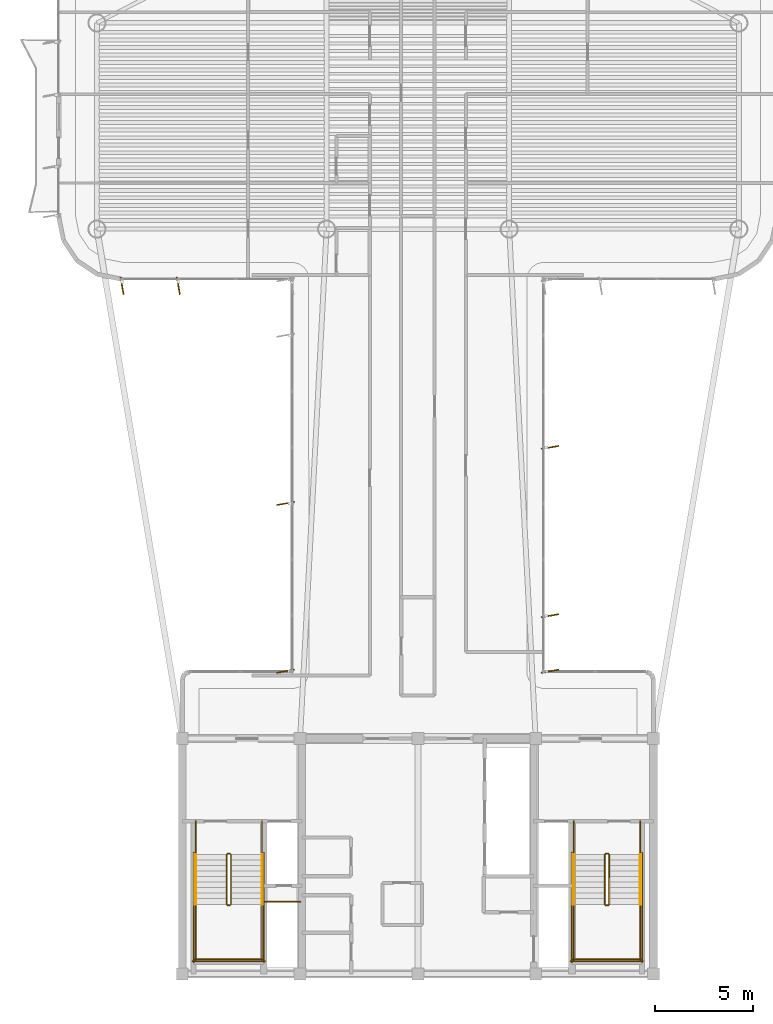
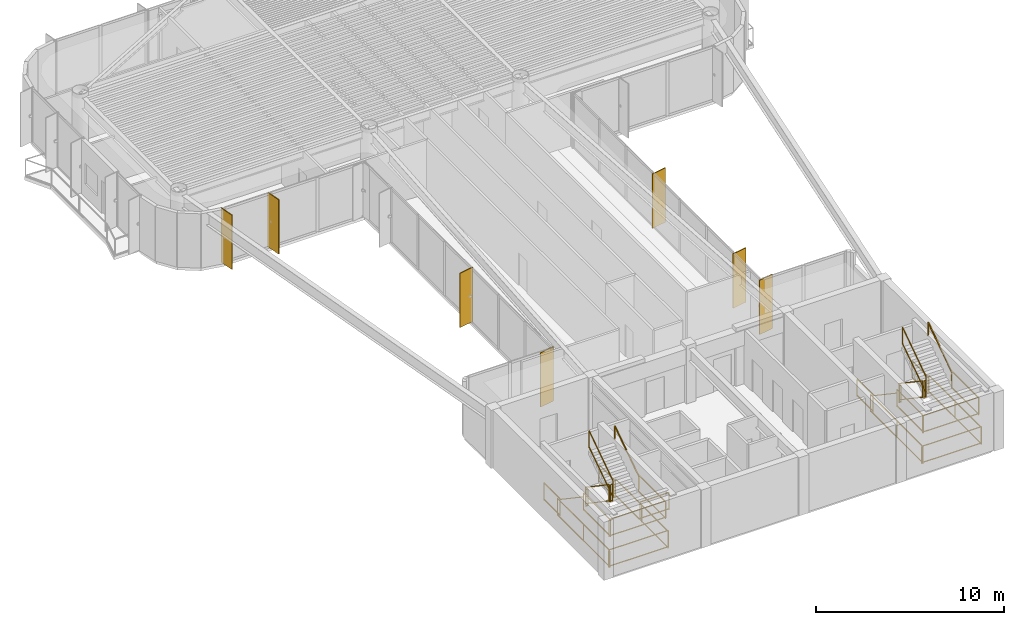
# One storey, part 14 of 15: 29 railings, 7 shading devices.
"""IFC4 building model written with IfcOpenShell, lengths in metres."""

from ifc_helpers import new_model, si_unit, direction, frame, origin, origin_2d, place, context, subcontext, project, spatial, rectangle, extrude, source, transform, mapped, material, layer, layer_set, material_profile, profile_set, type_object, element, save


model = new_model("IFC4")

# Units and contexts
model_context = context("Model", 3, precision=1e-05, world=origin(), true_north=direction((0.0, 1.0)))
body_context = subcontext(model_context, "Body", "Model", "MODEL_VIEW")
ifc_project = project(units=[si_unit("LENGTHUNIT", "METRE"), si_unit("AREAUNIT", "SQUARE_METRE"), si_unit("VOLUMEUNIT", "CUBIC_METRE"), si_unit("PLANEANGLEUNIT", "RADIAN"), si_unit("MASSUNIT", "GRAM", prefix="KILO")], contexts=[model_context])

# Site, building, storey
site_placement = place(None, origin())
site = spatial("IfcSite", under=ifc_project, at=site_placement, CompositionType="ELEMENT")
building_placement = place(site_placement, origin())
building = spatial("IfcBuilding", under=site, at=building_placement, Name="Brelvock Crest Care Tower", CompositionType="ELEMENT")
storey_placement = place(building_placement, frame((0.0, 0.0, 264.60009765625)))
storey = spatial("IfcBuildingStorey", under=building, at=storey_placement, Name="L67", CompositionType="ELEMENT", Elevation=264.60009765625)

# Railings
ifc_material_1 = material(Name="Steel Grade 350", Category="steel")
ifc_layer_1 = layer(ifc_material_1, 0.050048828125, Name="RL-STG1")
ifc_layer_set_1 = layer_set([ifc_layer_1], Name="Steel Grade 350")
railing_type_1 = type_object("IfcRailingType", Name="RL-STG1", PredefinedType="GUARDRAIL", material=ifc_layer_set_1)
railing_1_placement = place(storey_placement, frame((26.260009765625, 12.080078125, 0.18896484375)))
element("IfcRailing", 1, at=railing_1_placement, inside=storey, type_object=railing_type_1, Name="L67 ST-1 stair guard 1", PredefinedType="GUARDRAIL", context=body_context, shape_type="SweptSolid", body=[
    extrude(rectangle(XDim=0.048095703125, YDim=0.048095703125, at=origin_2d()), frame((0.0, -0.001708984375, 1.116943359375), z_axis=(0.0, -0.828861706735, 0.559453546873), x_axis=(1.0, 0.0, 0.0)), (0.0, 0.0, 1.0), 3.036376953125),
    extrude(rectangle(XDim=0.048095703125, YDim=0.048095703125, at=origin_2d()), frame((0.0, -0.001708984375, 0.05615234375), z_axis=(0.0, -0.828861706735, 0.559453546873), x_axis=(1.0, 0.0, 0.0)), (0.0, 0.0, 1.0), 3.036376953125),
    extrude(rectangle(XDim=0.0419921875, YDim=0.0419921875, at=origin_2d()), origin(), (0.0, 0.0, 1.0), 1.08984375),
    extrude(rectangle(XDim=0.0419921875, YDim=0.0419921875, at=origin_2d()), frame((0.0, -2.52001953125, 1.700927734375)), (0.0, 0.0, 1.0), 1.08984375),
])
railing_2_placement = place(storey_placement, frame((26.31005859375, 9.510009765625, 1.889892578125)))
element("IfcRailing", 2, at=railing_2_placement, inside=storey, type_object=railing_type_1, Name="L67 ST-1 stair guard 2", PredefinedType="GUARDRAIL", context=body_context, shape_type="SweptSolid", body=[
    extrude(rectangle(XDim=0.048095703125, YDim=0.048095703125, at=origin_2d()), frame((0.001953125, 0.0, 1.11572265625), z_axis=(1.0, 0.0, 0.0), x_axis=(0.0, 1.0, 0.0)), (0.0, 0.0, 1.0), 0.115966796875),
    extrude(rectangle(XDim=0.048095703125, YDim=0.048095703125, at=origin_2d()), frame((0.001953125, 0.0, 0.054931640625), z_axis=(1.0, 0.0, 0.0), x_axis=(0.0, 1.0, 0.0)), (0.0, 0.0, 1.0), 0.115966796875),
    extrude(rectangle(XDim=0.0419921875, YDim=0.0419921875, at=origin_2d()), origin(), (0.0, 0.0, 1.0), 1.08984375),
    extrude(rectangle(XDim=0.0419921875, YDim=0.0419921875, at=origin_2d()), frame((0.119873046875, 0.0, 0.0)), (0.0, 0.0, 1.0), 1.08984375),
])
for number, where, name in (
    (3, (24.679931640625, 9.56005859375, 1.889892578125), "L67 ST-1 stair guard 3"),
    (4, (28.06005859375, 9.56005859375, 1.889892578125), "L67 ST-1 stair guard 4"),
):
    element("IfcRailing", number, at=place(storey_placement, frame(where)), inside=storey, type_object=railing_type_1, Name=name, PredefinedType="GUARDRAIL", context=body_context, shape_type="SweptSolid", body=[
        extrude(rectangle(XDim=0.048095703125, YDim=0.048095703125, at=origin_2d()), frame((0.0, -0.001953125, 1.11572265625), z_axis=(0.0, -1.0, 0.0), x_axis=(1.0, 0.0, 0.0)), (0.0, 0.0, 1.0), 2.856201171875),
        extrude(rectangle(XDim=0.048095703125, YDim=0.048095703125, at=origin_2d()), frame((0.0, -0.001953125, 0.054931640625), z_axis=(0.0, -1.0, 0.0), x_axis=(1.0, 0.0, 0.0)), (0.0, 0.0, 1.0), 2.856201171875),
        extrude(rectangle(XDim=0.0419921875, YDim=0.0419921875, at=origin_2d()), origin(), (0.0, 0.0, 1.0), 1.08984375),
        extrude(rectangle(XDim=0.0419921875, YDim=0.0419921875, at=origin_2d()), frame((0.0, -2.860107421875, 0.0)), (0.0, 0.0, 1.0), 1.08984375),
    ])
railing_3_placement = place(storey_placement, frame((24.6298828125, 6.75, 1.889892578125)))
element("IfcRailing", 5, at=railing_3_placement, inside=storey, type_object=railing_type_1, Name="L67 ST-1 stair guard 5", PredefinedType="GUARDRAIL", context=body_context, shape_type="SweptSolid", body=[
    extrude(rectangle(XDim=0.048095703125, YDim=0.048095703125, at=origin_2d()), frame((0.001953125, 0.0, 1.11572265625), z_axis=(1.0, 0.0, 0.0), x_axis=(0.0, 1.0, 0.0)), (0.0, 0.0, 1.0), 3.476318359375),
    extrude(rectangle(XDim=0.048095703125, YDim=0.048095703125, at=origin_2d()), frame((0.001953125, 0.0, 0.054931640625), z_axis=(1.0, 0.0, 0.0), x_axis=(0.0, 1.0, 0.0)), (0.0, 0.0, 1.0), 3.476318359375),
    extrude(rectangle(XDim=0.0419921875, YDim=0.0419921875, at=origin_2d()), origin(), (0.0, 0.0, 1.0), 1.08984375),
    extrude(rectangle(XDim=0.0419921875, YDim=0.0419921875, at=origin_2d()), frame((3.480224609375, 0.0, 0.0)), (0.0, 0.0, 1.0), 1.08984375),
])
railing_4_placement = place(storey_placement, frame((26.47998046875, 9.56005859375, 2.078857421875)))
element("IfcRailing", 6, at=railing_4_placement, inside=storey, type_object=railing_type_1, Name="L67 ST-1 stair guard 6", PredefinedType="GUARDRAIL", context=body_context, shape_type="SweptSolid", body=[
    extrude(rectangle(XDim=0.048095703125, YDim=0.048095703125, at=origin_2d()), frame((0.0, 0.001708984375, 1.116943359375), z_axis=(0.0, 0.828861706735, 0.559453546873), x_axis=(-1.0, 0.0, 0.0)), (0.0, 0.0, 1.0), 3.036376953125),
    extrude(rectangle(XDim=0.048095703125, YDim=0.048095703125, at=origin_2d()), frame((0.0, 0.001708984375, 0.05615234375), z_axis=(0.0, 0.828861706735, 0.559453546873), x_axis=(-1.0, 0.0, 0.0)), (0.0, 0.0, 1.0), 3.036376953125),
    extrude(rectangle(XDim=0.0419921875, YDim=0.0419921875, at=origin_2d()), origin(), (0.0, 0.0, 1.0), 1.08984375),
    extrude(rectangle(XDim=0.0419921875, YDim=0.0419921875, at=origin_2d()), frame((0.0, 2.52001953125, 1.700927734375)), (0.0, 0.0, 1.0), 1.08984375),
])
railing_5_placement = place(storey_placement, frame((26.31005859375, 12.1298828125, 0.0)))
element("IfcRailing", 7, at=railing_5_placement, inside=storey, type_object=railing_type_1, Name="L67 ST-1 stair guard 7", PredefinedType="GUARDRAIL", context=body_context, shape_type="SweptSolid", body=[
    extrude(rectangle(XDim=0.048095703125, YDim=0.048095703125, at=origin_2d()), frame((0.001953125, 0.0, 1.11572265625), z_axis=(1.0, 0.0, 0.0), x_axis=(0.0, 1.0, 0.0)), (0.0, 0.0, 1.0), 0.115966796875),
    extrude(rectangle(XDim=0.048095703125, YDim=0.048095703125, at=origin_2d()), frame((0.001953125, 0.0, 0.054931640625), z_axis=(1.0, 0.0, 0.0), x_axis=(0.0, 1.0, 0.0)), (0.0, 0.0, 1.0), 0.115966796875),
    extrude(rectangle(XDim=0.0419921875, YDim=0.0419921875, at=origin_2d()), origin(), (0.0, 0.0, 1.0), 1.08984375),
    extrude(rectangle(XDim=0.0419921875, YDim=0.0419921875, at=origin_2d()), frame((0.119873046875, 0.0, 0.0)), (0.0, 0.0, 1.0), 1.08984375),
])
for number, where, name in (
    (8, (24.679931640625, 13.780029296875, 0.0), "L67 ST-1 stair guard 8"),
    (9, (28.06005859375, 13.780029296875, 0.0), "L67 ST-1 stair guard 9"),
):
    element("IfcRailing", number, at=place(storey_placement, frame(where)), inside=storey, type_object=railing_type_1, Name=name, PredefinedType="GUARDRAIL", context=body_context, shape_type="SweptSolid", body=[
        extrude(rectangle(XDim=0.048095703125, YDim=0.048095703125, at=origin_2d()), frame((0.0, -0.001953125, 1.11572265625), z_axis=(0.0, -1.0, 0.0), x_axis=(1.0, 0.0, 0.0)), (0.0, 0.0, 1.0), 1.696044921875),
        extrude(rectangle(XDim=0.048095703125, YDim=0.048095703125, at=origin_2d()), frame((0.0, -0.001953125, 0.054931640625), z_axis=(0.0, -1.0, 0.0), x_axis=(1.0, 0.0, 0.0)), (0.0, 0.0, 1.0), 1.696044921875),
        extrude(rectangle(XDim=0.0419921875, YDim=0.0419921875, at=origin_2d()), origin(), (0.0, 0.0, 1.0), 1.08984375),
        extrude(rectangle(XDim=0.0419921875, YDim=0.0419921875, at=origin_2d()), frame((0.0, -1.699951171875, 0.0)), (0.0, 0.0, 1.0), 1.08984375),
    ])
for number, where, name in (
    (10, (24.580078125, 12.179931640625, 0.0), "L67 ST-1 stair guard 10"),
    (11, (28.159912109375, 12.179931640625, 0.0), "L67 ST-1 stair guard 11"),
):
    element("IfcRailing", number, at=place(storey_placement, frame(where)), inside=storey, type_object=railing_type_1, Name=name, PredefinedType="GUARDRAIL", context=body_context, shape_type="SweptSolid", body=[
        extrude(rectangle(XDim=0.048095703125, YDim=0.048095703125, at=origin_2d()), frame((0.0, -0.001953125, 1.11572265625), z_axis=(0.0, -1.0, 0.0), x_axis=(1.0, 0.0, 0.0)), (0.0, 0.0, 1.0), 5.575927734375),
        extrude(rectangle(XDim=0.048095703125, YDim=0.048095703125, at=origin_2d()), frame((0.0, -0.001953125, 0.054931640625), z_axis=(0.0, -1.0, 0.0), x_axis=(1.0, 0.0, 0.0)), (0.0, 0.0, 1.0), 5.575927734375),
        extrude(rectangle(XDim=0.0419921875, YDim=0.0419921875, at=origin_2d()), origin(), (0.0, 0.0, 1.0), 1.08984375),
        extrude(rectangle(XDim=0.0419921875, YDim=0.0419921875, at=origin_2d()), frame((0.0, -2.7900390625, 0.0)), (0.0, 0.0, 1.0), 1.08984375),
        extrude(rectangle(XDim=0.0419921875, YDim=0.0419921875, at=origin_2d()), frame((0.0, -5.579833984375, 0.0)), (0.0, 0.0, 1.0), 1.08984375),
    ])
railing_6_placement = place(storey_placement, frame((24.530029296875, 6.64990234375, 0.0)))
element("IfcRailing", 12, at=railing_6_placement, inside=storey, type_object=railing_type_1, Name="L67 ST-1 stair guard 12", PredefinedType="GUARDRAIL", context=body_context, shape_type="SweptSolid", body=[
    extrude(rectangle(XDim=0.048095703125, YDim=0.048095703125, at=origin_2d()), frame((0.001953125, 0.0, 1.11572265625), z_axis=(1.0, 0.0, 0.0), x_axis=(0.0, 1.0, 0.0)), (0.0, 0.0, 1.0), 3.676025390625),
    extrude(rectangle(XDim=0.048095703125, YDim=0.048095703125, at=origin_2d()), frame((0.001953125, 0.0, 0.054931640625), z_axis=(1.0, 0.0, 0.0), x_axis=(0.0, 1.0, 0.0)), (0.0, 0.0, 1.0), 3.676025390625),
    extrude(rectangle(XDim=0.0419921875, YDim=0.0419921875, at=origin_2d()), origin(), (0.0, 0.0, 1.0), 1.08984375),
    extrude(rectangle(XDim=0.0419921875, YDim=0.0419921875, at=origin_2d()), frame((3.679931640625, 0.0, 0.0)), (0.0, 0.0, 1.0), 1.08984375),
])
railing_7_placement = place(storey_placement, frame((45.52001953125, 12.080078125, 0.18896484375)))
element("IfcRailing", 13, at=railing_7_placement, inside=storey, type_object=railing_type_1, Name="L67 ST-2 stair guard 1", PredefinedType="GUARDRAIL", context=body_context, shape_type="SweptSolid", body=[
    extrude(rectangle(XDim=0.048095703125, YDim=0.048095703125, at=origin_2d()), frame((0.0, -0.001708984375, 1.116943359375), z_axis=(0.0, -0.828861706735, 0.559453546873), x_axis=(1.0, 0.0, 0.0)), (0.0, 0.0, 1.0), 3.036376953125),
    extrude(rectangle(XDim=0.048095703125, YDim=0.048095703125, at=origin_2d()), frame((0.0, -0.001708984375, 0.05615234375), z_axis=(0.0, -0.828861706735, 0.559453546873), x_axis=(1.0, 0.0, 0.0)), (0.0, 0.0, 1.0), 3.036376953125),
    extrude(rectangle(XDim=0.0419921875, YDim=0.0419921875, at=origin_2d()), origin(), (0.0, 0.0, 1.0), 1.08984375),
    extrude(rectangle(XDim=0.0419921875, YDim=0.0419921875, at=origin_2d()), frame((0.0, -2.52001953125, 1.700927734375)), (0.0, 0.0, 1.0), 1.08984375),
])
railing_8_placement = place(storey_placement, frame((45.570068359375, 9.510009765625, 1.889892578125)))
element("IfcRailing", 14, at=railing_8_placement, inside=storey, type_object=railing_type_1, Name="L67 ST-2 stair guard 2", PredefinedType="GUARDRAIL", context=body_context, shape_type="SweptSolid", body=[
    extrude(rectangle(XDim=0.048095703125, YDim=0.048095703125, at=origin_2d()), frame((0.001953125, 0.0, 1.11572265625), z_axis=(1.0, 0.0, 0.0), x_axis=(0.0, 1.0, 0.0)), (0.0, 0.0, 1.0), 0.115966796875),
    extrude(rectangle(XDim=0.048095703125, YDim=0.048095703125, at=origin_2d()), frame((0.001953125, 0.0, 0.054931640625), z_axis=(1.0, 0.0, 0.0), x_axis=(0.0, 1.0, 0.0)), (0.0, 0.0, 1.0), 0.115966796875),
    extrude(rectangle(XDim=0.0419921875, YDim=0.0419921875, at=origin_2d()), origin(), (0.0, 0.0, 1.0), 1.08984375),
    extrude(rectangle(XDim=0.0419921875, YDim=0.0419921875, at=origin_2d()), frame((0.119873046875, 0.0, 0.0)), (0.0, 0.0, 1.0), 1.08984375),
])
for number, where, name in (
    (15, (43.93994140625, 9.56005859375, 1.889892578125), "L67 ST-2 stair guard 3"),
    (16, (47.320068359375, 9.56005859375, 1.889892578125), "L67 ST-2 stair guard 4"),
):
    element("IfcRailing", number, at=place(storey_placement, frame(where)), inside=storey, type_object=railing_type_1, Name=name, PredefinedType="GUARDRAIL", context=body_context, shape_type="SweptSolid", body=[
        extrude(rectangle(XDim=0.048095703125, YDim=0.048095703125, at=origin_2d()), frame((0.0, -0.001953125, 1.11572265625), z_axis=(0.0, -1.0, 0.0), x_axis=(1.0, 0.0, 0.0)), (0.0, 0.0, 1.0), 2.856201171875),
        extrude(rectangle(XDim=0.048095703125, YDim=0.048095703125, at=origin_2d()), frame((0.0, -0.001953125, 0.054931640625), z_axis=(0.0, -1.0, 0.0), x_axis=(1.0, 0.0, 0.0)), (0.0, 0.0, 1.0), 2.856201171875),
        extrude(rectangle(XDim=0.0419921875, YDim=0.0419921875, at=origin_2d()), origin(), (0.0, 0.0, 1.0), 1.08984375),
        extrude(rectangle(XDim=0.0419921875, YDim=0.0419921875, at=origin_2d()), frame((0.0, -2.860107421875, 0.0)), (0.0, 0.0, 1.0), 1.08984375),
    ])
railing_9_placement = place(storey_placement, frame((43.889892578125, 6.75, 1.889892578125)))
element("IfcRailing", 17, at=railing_9_placement, inside=storey, type_object=railing_type_1, Name="L67 ST-2 stair guard 5", PredefinedType="GUARDRAIL", context=body_context, shape_type="SweptSolid", body=[
    extrude(rectangle(XDim=0.048095703125, YDim=0.048095703125, at=origin_2d()), frame((0.001953125, 0.0, 1.11572265625), z_axis=(1.0, 0.0, 0.0), x_axis=(0.0, 1.0, 0.0)), (0.0, 0.0, 1.0), 3.476318359375),
    extrude(rectangle(XDim=0.048095703125, YDim=0.048095703125, at=origin_2d()), frame((0.001953125, 0.0, 0.054931640625), z_axis=(1.0, 0.0, 0.0), x_axis=(0.0, 1.0, 0.0)), (0.0, 0.0, 1.0), 3.476318359375),
    extrude(rectangle(XDim=0.0419921875, YDim=0.0419921875, at=origin_2d()), origin(), (0.0, 0.0, 1.0), 1.08984375),
    extrude(rectangle(XDim=0.0419921875, YDim=0.0419921875, at=origin_2d()), frame((3.480224609375, 0.0, 0.0)), (0.0, 0.0, 1.0), 1.08984375),
])
railing_10_placement = place(storey_placement, frame((45.739990234375, 9.56005859375, 2.078857421875)))
element("IfcRailing", 18, at=railing_10_placement, inside=storey, type_object=railing_type_1, Name="L67 ST-2 stair guard 6", PredefinedType="GUARDRAIL", context=body_context, shape_type="SweptSolid", body=[
    extrude(rectangle(XDim=0.048095703125, YDim=0.048095703125, at=origin_2d()), frame((0.0, 0.001708984375, 1.116943359375), z_axis=(0.0, 0.828861706735, 0.559453546873), x_axis=(-1.0, 0.0, 0.0)), (0.0, 0.0, 1.0), 3.036376953125),
    extrude(rectangle(XDim=0.048095703125, YDim=0.048095703125, at=origin_2d()), frame((0.0, 0.001708984375, 0.05615234375), z_axis=(0.0, 0.828861706735, 0.559453546873), x_axis=(-1.0, 0.0, 0.0)), (0.0, 0.0, 1.0), 3.036376953125),
    extrude(rectangle(XDim=0.0419921875, YDim=0.0419921875, at=origin_2d()), origin(), (0.0, 0.0, 1.0), 1.08984375),
    extrude(rectangle(XDim=0.0419921875, YDim=0.0419921875, at=origin_2d()), frame((0.0, 2.52001953125, 1.700927734375)), (0.0, 0.0, 1.0), 1.08984375),
])
railing_11_placement = place(storey_placement, frame((45.570068359375, 12.1298828125, 0.0)))
element("IfcRailing", 19, at=railing_11_placement, inside=storey, type_object=railing_type_1, Name="L67 ST-2 stair guard 7", PredefinedType="GUARDRAIL", context=body_context, shape_type="SweptSolid", body=[
    extrude(rectangle(XDim=0.048095703125, YDim=0.048095703125, at=origin_2d()), frame((0.001953125, 0.0, 1.11572265625), z_axis=(1.0, 0.0, 0.0), x_axis=(0.0, 1.0, 0.0)), (0.0, 0.0, 1.0), 0.115966796875),
    extrude(rectangle(XDim=0.048095703125, YDim=0.048095703125, at=origin_2d()), frame((0.001953125, 0.0, 0.054931640625), z_axis=(1.0, 0.0, 0.0), x_axis=(0.0, 1.0, 0.0)), (0.0, 0.0, 1.0), 0.115966796875),
    extrude(rectangle(XDim=0.0419921875, YDim=0.0419921875, at=origin_2d()), origin(), (0.0, 0.0, 1.0), 1.08984375),
    extrude(rectangle(XDim=0.0419921875, YDim=0.0419921875, at=origin_2d()), frame((0.119873046875, 0.0, 0.0)), (0.0, 0.0, 1.0), 1.08984375),
])
for number, where, name in (
    (20, (43.93994140625, 13.780029296875, 0.0), "L67 ST-2 stair guard 8"),
    (21, (47.320068359375, 13.780029296875, 0.0), "L67 ST-2 stair guard 9"),
):
    element("IfcRailing", number, at=place(storey_placement, frame(where)), inside=storey, type_object=railing_type_1, Name=name, PredefinedType="GUARDRAIL", context=body_context, shape_type="SweptSolid", body=[
        extrude(rectangle(XDim=0.048095703125, YDim=0.048095703125, at=origin_2d()), frame((0.0, -0.001953125, 1.11572265625), z_axis=(0.0, -1.0, 0.0), x_axis=(1.0, 0.0, 0.0)), (0.0, 0.0, 1.0), 1.696044921875),
        extrude(rectangle(XDim=0.048095703125, YDim=0.048095703125, at=origin_2d()), frame((0.0, -0.001953125, 0.054931640625), z_axis=(0.0, -1.0, 0.0), x_axis=(1.0, 0.0, 0.0)), (0.0, 0.0, 1.0), 1.696044921875),
        extrude(rectangle(XDim=0.0419921875, YDim=0.0419921875, at=origin_2d()), origin(), (0.0, 0.0, 1.0), 1.08984375),
        extrude(rectangle(XDim=0.0419921875, YDim=0.0419921875, at=origin_2d()), frame((0.0, -1.699951171875, 0.0)), (0.0, 0.0, 1.0), 1.08984375),
    ])
for number, where, name in (
    (22, (43.840087890625, 12.179931640625, 0.0), "L67 ST-2 stair guard 10"),
    (23, (47.419921875, 12.179931640625, 0.0), "L67 ST-2 stair guard 11"),
):
    element("IfcRailing", number, at=place(storey_placement, frame(where)), inside=storey, type_object=railing_type_1, Name=name, PredefinedType="GUARDRAIL", context=body_context, shape_type="SweptSolid", body=[
        extrude(rectangle(XDim=0.048095703125, YDim=0.048095703125, at=origin_2d()), frame((0.0, -0.001953125, 1.11572265625), z_axis=(0.0, -1.0, 0.0), x_axis=(1.0, 0.0, 0.0)), (0.0, 0.0, 1.0), 5.575927734375),
        extrude(rectangle(XDim=0.048095703125, YDim=0.048095703125, at=origin_2d()), frame((0.0, -0.001953125, 0.054931640625), z_axis=(0.0, -1.0, 0.0), x_axis=(1.0, 0.0, 0.0)), (0.0, 0.0, 1.0), 5.575927734375),
        extrude(rectangle(XDim=0.0419921875, YDim=0.0419921875, at=origin_2d()), origin(), (0.0, 0.0, 1.0), 1.08984375),
        extrude(rectangle(XDim=0.0419921875, YDim=0.0419921875, at=origin_2d()), frame((0.0, -2.7900390625, 0.0)), (0.0, 0.0, 1.0), 1.08984375),
        extrude(rectangle(XDim=0.0419921875, YDim=0.0419921875, at=origin_2d()), frame((0.0, -5.579833984375, 0.0)), (0.0, 0.0, 1.0), 1.08984375),
    ])
railing_12_placement = place(storey_placement, frame((43.7900390625, 6.64990234375, 0.0)))
element("IfcRailing", 24, at=railing_12_placement, inside=storey, type_object=railing_type_1, Name="L67 ST-2 stair guard 12", PredefinedType="GUARDRAIL", context=body_context, shape_type="SweptSolid", body=[
    extrude(rectangle(XDim=0.048095703125, YDim=0.048095703125, at=origin_2d()), frame((0.001953125, 0.0, 1.11572265625), z_axis=(1.0, 0.0, 0.0), x_axis=(0.0, 1.0, 0.0)), (0.0, 0.0, 1.0), 3.676025390625),
    extrude(rectangle(XDim=0.048095703125, YDim=0.048095703125, at=origin_2d()), frame((0.001953125, 0.0, 0.054931640625), z_axis=(1.0, 0.0, 0.0), x_axis=(0.0, 1.0, 0.0)), (0.0, 0.0, 1.0), 3.676025390625),
    extrude(rectangle(XDim=0.0419921875, YDim=0.0419921875, at=origin_2d()), origin(), (0.0, 0.0, 1.0), 1.08984375),
    extrude(rectangle(XDim=0.0419921875, YDim=0.0419921875, at=origin_2d()), frame((3.679931640625, 0.0, 0.0)), (0.0, 0.0, 1.0), 1.08984375),
])
railing_13_placement = place(storey_placement, frame((28.219970703125, 9.679931640625, 0.0)))
element("IfcRailing", 25, at=railing_13_placement, inside=storey, type_object=railing_type_1, Name="L67 Fire Riser Threshold Guard", PredefinedType="GUARDRAIL", context=body_context, shape_type="SweptSolid", body=[
    extrude(rectangle(XDim=0.048095703125, YDim=0.048095703125, at=origin_2d()), frame((0.001953125, 0.0, 1.11572265625), z_axis=(1.0, 0.0, 0.0), x_axis=(0.0, 1.0, 0.0)), (0.0, 0.0, 1.0), 1.776123046875),
    extrude(rectangle(XDim=0.048095703125, YDim=0.048095703125, at=origin_2d()), frame((0.001953125, 0.0, 0.054931640625), z_axis=(1.0, 0.0, 0.0), x_axis=(0.0, 1.0, 0.0)), (0.0, 0.0, 1.0), 1.776123046875),
    extrude(rectangle(XDim=0.0419921875, YDim=0.0419921875, at=origin_2d()), origin(), (0.0, 0.0, 1.0), 1.08984375),
    extrude(rectangle(XDim=0.0419921875, YDim=0.0419921875, at=origin_2d()), frame((1.780029296875, 0.0, 0.0)), (0.0, 0.0, 1.0), 1.08984375),
])
ifc_layer_2 = layer(ifc_material_1, 0.048095703125, Name="RL-STH1")
ifc_layer_set_2 = layer_set([ifc_layer_2], Name="Steel Grade 350")
railing_type_2 = type_object("IfcRailingType", Name="RL-STH1", PredefinedType="HANDRAIL", material=ifc_layer_set_2)
railing_14_placement = place(storey_placement, frame((24.679931640625, 12.080078125, 0.18896484375)))
element("IfcRailing", 26, at=railing_14_placement, inside=storey, type_object=railing_type_2, Name="L67 ST-1 stair handrail 1", PredefinedType="HANDRAIL", context=body_context, shape_type="SweptSolid", body=[
    extrude(rectangle(XDim=0.048095703125, YDim=0.048095703125, at=origin_2d()), frame((0.0, -0.001708984375, 0.876953125), z_axis=(0.0, -0.828861706735, 0.559453546873), x_axis=(1.0, 0.0, 0.0)), (0.0, 0.0, 1.0), 3.036376953125),
    extrude(rectangle(XDim=0.0419921875, YDim=0.0419921875, at=origin_2d()), origin(), (0.0, 0.0, 1.0), 0.849853515625),
    extrude(rectangle(XDim=0.0419921875, YDim=0.0419921875, at=origin_2d()), frame((0.0, -2.52001953125, 1.700927734375)), (0.0, 0.0, 1.0), 0.849853515625),
])
railing_15_placement = place(storey_placement, frame((28.06005859375, 9.56005859375, 2.078857421875)))
element("IfcRailing", 27, at=railing_15_placement, inside=storey, type_object=railing_type_2, Name="L67 ST-1 stair handrail 2", PredefinedType="HANDRAIL", context=body_context, shape_type="SweptSolid", body=[
    extrude(rectangle(XDim=0.048095703125, YDim=0.048095703125, at=origin_2d()), frame((0.0, 0.001708984375, 0.876953125), z_axis=(0.0, 0.828861706735, 0.559453546873), x_axis=(-1.0, 0.0, 0.0)), (0.0, 0.0, 1.0), 3.036376953125),
    extrude(rectangle(XDim=0.0419921875, YDim=0.0419921875, at=origin_2d()), origin(), (0.0, 0.0, 1.0), 0.849853515625),
    extrude(rectangle(XDim=0.0419921875, YDim=0.0419921875, at=origin_2d()), frame((0.0, 2.52001953125, 1.700927734375)), (0.0, 0.0, 1.0), 0.849853515625),
])
railing_16_placement = place(storey_placement, frame((43.93994140625, 12.080078125, 0.18896484375)))
element("IfcRailing", 28, at=railing_16_placement, inside=storey, type_object=railing_type_2, Name="L67 ST-2 stair handrail 1", PredefinedType="HANDRAIL", context=body_context, shape_type="SweptSolid", body=[
    extrude(rectangle(XDim=0.048095703125, YDim=0.048095703125, at=origin_2d()), frame((0.0, -0.001708984375, 0.876953125), z_axis=(0.0, -0.828861706735, 0.559453546873), x_axis=(1.0, 0.0, 0.0)), (0.0, 0.0, 1.0), 3.036376953125),
    extrude(rectangle(XDim=0.0419921875, YDim=0.0419921875, at=origin_2d()), origin(), (0.0, 0.0, 1.0), 0.849853515625),
    extrude(rectangle(XDim=0.0419921875, YDim=0.0419921875, at=origin_2d()), frame((0.0, -2.52001953125, 1.700927734375)), (0.0, 0.0, 1.0), 0.849853515625),
])
railing_17_placement = place(storey_placement, frame((47.320068359375, 9.56005859375, 2.078857421875)))
element("IfcRailing", 29, at=railing_17_placement, inside=storey, type_object=railing_type_2, Name="L67 ST-2 stair handrail 2", PredefinedType="HANDRAIL", context=body_context, shape_type="SweptSolid", body=[
    extrude(rectangle(XDim=0.048095703125, YDim=0.048095703125, at=origin_2d()), frame((0.0, 0.001708984375, 0.876953125), z_axis=(0.0, 0.828861706735, 0.559453546873), x_axis=(-1.0, 0.0, 0.0)), (0.0, 0.0, 1.0), 3.036376953125),
    extrude(rectangle(XDim=0.0419921875, YDim=0.0419921875, at=origin_2d()), origin(), (0.0, 0.0, 1.0), 0.849853515625),
    extrude(rectangle(XDim=0.0419921875, YDim=0.0419921875, at=origin_2d()), frame((0.0, 2.52001953125, 1.700927734375)), (0.0, 0.0, 1.0), 0.849853515625),
])

# Shading devices
ifc_material_2 = material(Name="Aluminium 6063-T6", Category="aluminium")
ifc_material_profile = material_profile(ifc_material_2, rectangle(XDim=0.054931640625, YDim=0.89990234375, at=origin_2d()), Name="FIN55x900")
ifc_profile_set = profile_set([ifc_material_profile], Name="Aluminium 6063-T6")
shading_device_type = type_object("IfcShadingDeviceType", Name="SHD-FIN1", PredefinedType="USERDEFINED", material=ifc_profile_set)
shared_shape = source(origin(), body_context, "Body", "SweptSolid", [
    extrude(rectangle(XDim=0.054931640625, YDim=0.89990234375, at=origin_2d()), origin(), (0.0, 0.0, 1.0), 3.52978515625),
])
for number, where, z_axis, x_axis, name in (
    (30, (29.260009765625, 21.429931640625, 0.0), (0.0, 0.0, 1.0), (-0.173648177667, 0.984807753012, 0.0), "L67 Vertical Sunshade Fin E11-01"),
    (31, (29.260009765625, 29.971435546875, 0.0), (0.0, 0.0, 1.0), (-0.173648177667, 0.984807753012, 0.0), "L67 Vertical Sunshade Fin E11-04"),
    (32, (23.800048828125, 41.06005859375, 0.0), (0.0, 0.0, 1.0), (-0.984807753012, -0.173648177667, 0.0), "L67 Vertical Sunshade Fin E12-03"),
    (33, (20.929931640625, 41.06005859375, 0.0), (0.0, 0.0, 1.0), (-0.984807753012, -0.173648177667, 0.0), "L67 Vertical Sunshade Fin E12-04"),
    (34, (42.739990234375, 32.82861328125, 0.0), (0.0, 0.0, 1.0), (0.173648177667, -0.984807753012, 0.0), "L67 Vertical Sunshade Fin E45-04"),
    (35, (42.739990234375, 24.257080078125, 0.0), (0.0, 0.0, 1.0), (0.173648177667, -0.984807753012, 0.0), "L67 Vertical Sunshade Fin E45-07"),
    (36, (42.739990234375, 21.429931640625, 0.0), (0.0, 0.0, 1.0), (0.173648177667, -0.984807753012, 0.0), "L67 Vertical Sunshade Fin E45-08"),
):
    element("IfcShadingDevice", number, at=place(storey_placement, frame(where, z_axis=z_axis, x_axis=x_axis)), inside=storey, type_object=shading_device_type, Name=name, ObjectType="FIN", PredefinedType="USERDEFINED", context=body_context, shape_type="MappedRepresentation", body=[
        mapped(shared_shape, transform((0.0, 0.0, 0.0), x_axis=(1.0, 0.0, 0.0), y_axis=(0.0, 1.0, 0.0), z_axis=(0.0, 0.0, 1.0), scale=1.0)),
    ])

save(model, "model.ifc")
